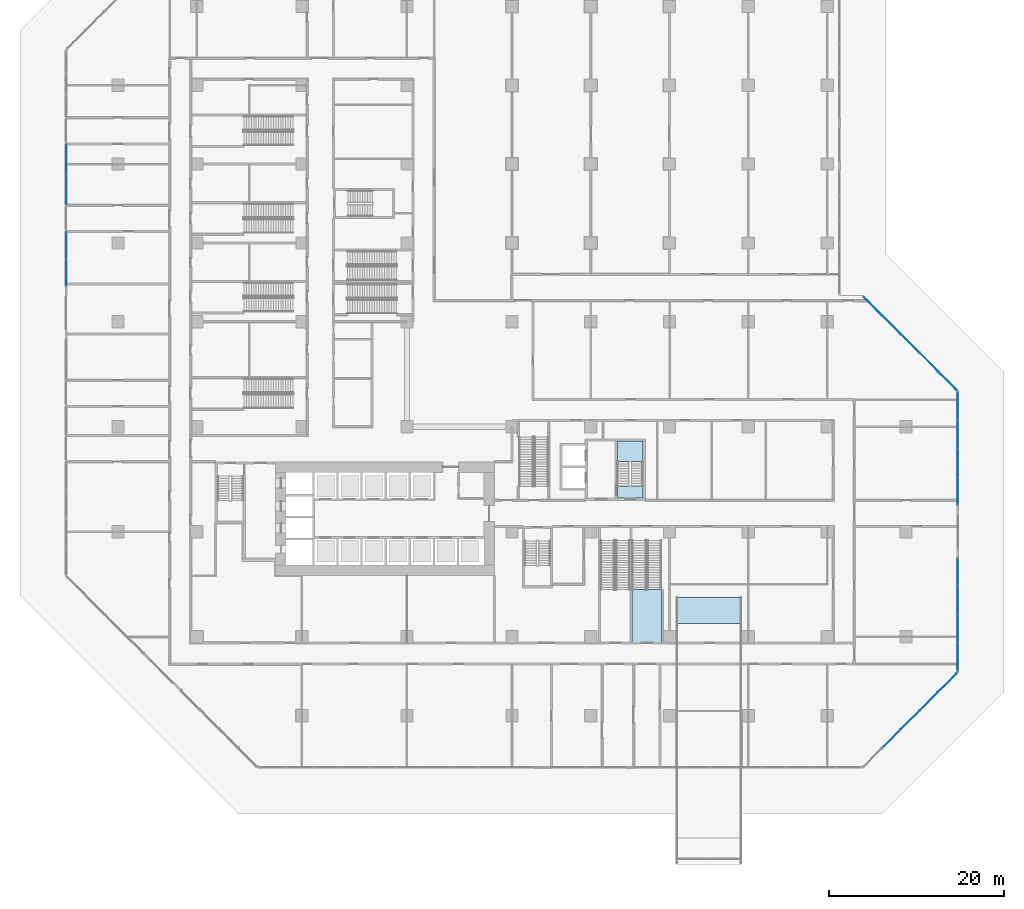
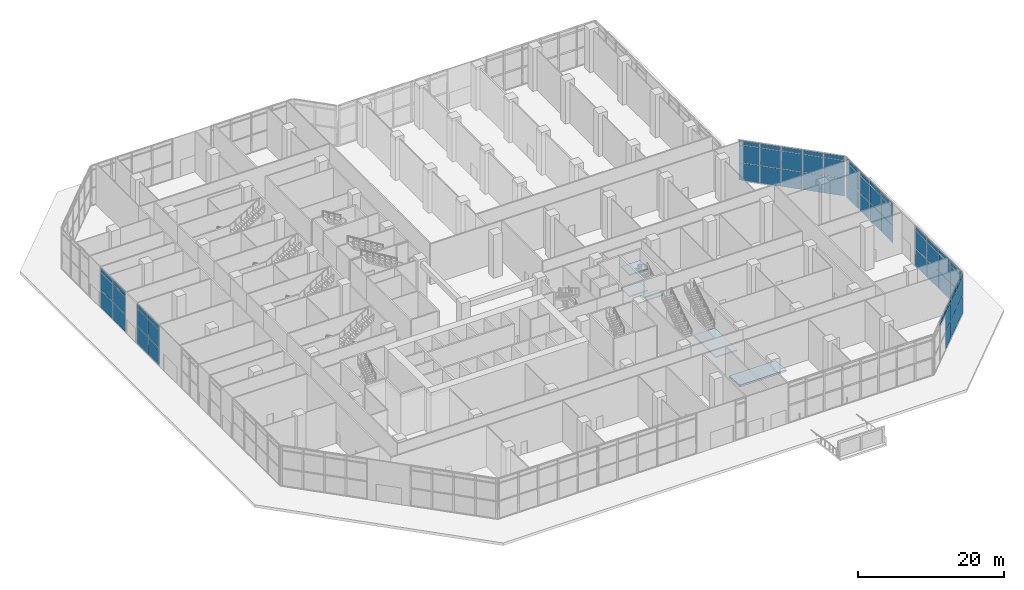
# One storey, part 14 of 34: 61 plates, 5 slabs, 8 elements without a shape of their own.
"""IFC4 building model written with IfcOpenShell, lengths in metres."""

from ifc_helpers import new_model, si_unit, direction, frame, origin, origin_2d, place, context, subcontext, project, spatial, polyline, rectangle, outline, extrude, material, layer, layer_set, type_object, element, aggregate, save


model = new_model("IFC4")

# Units and contexts
model_context = context("Model", 3, precision=1e-05, world=origin(), true_north=direction((0.0, 1.0)))
body_context = subcontext(model_context, "Body", "Model", "MODEL_VIEW")
ifc_project = project(units=[si_unit("LENGTHUNIT", "METRE"), si_unit("AREAUNIT", "SQUARE_METRE"), si_unit("VOLUMEUNIT", "CUBIC_METRE"), si_unit("PLANEANGLEUNIT", "RADIAN"), si_unit("MASSUNIT", "GRAM", prefix="KILO")], contexts=[model_context])

# Site, building, storey
site_placement = place(None, origin())
site = spatial("IfcSite", under=ifc_project, at=site_placement, CompositionType="ELEMENT")
building_placement = place(site_placement, origin())
building = spatial("IfcBuilding", under=site, at=building_placement, Name="Chenar Terraces", CompositionType="ELEMENT")
storey_placement = place(building_placement, origin())
storey = spatial("IfcBuildingStorey", under=building, at=storey_placement, Name="L00", CompositionType="ELEMENT", Elevation=0.0)

# Slab
ifc_material_1 = material(Name="Reinforced concrete C40/50", Category="concrete")
ifc_layer_1 = layer(ifc_material_1, 0.300048828125)
ifc_layer_set_1 = layer_set([ifc_layer_1], Name="Reinforced concrete C40/50")
slab_type_1 = type_object("IfcSlabType", Name="Car ramp slab 7500 x 300", PredefinedType="USERDEFINED", material=ifc_layer_set_1)
slab_1_placement = place(storey_placement, frame((54.800048828125, 1.5, -4.25), z_axis=(0.0, 0.083045479854, 0.996545758245), x_axis=(0.0, 0.996545758245, -0.083045479854)))
element("IfcSlab", 1, at=slab_1_placement, inside=storey, type_object=slab_type_1, Name="R1 vehicle ramp slab 3 (bottom)", ObjectType="Vehicle ramp slab", PredefinedType="USERDEFINED", context=body_context, shape_type="SweptSolid", body=[
    extrude(outline(polyline([(0.0, 0.0), (3.010398644698074, 0.0), (3.010398644698074, -7.39990234375), (0.0, -7.39990234375), (0.0, 0.0)])), origin(), (0.083045479854, 0.0, -0.996545758245), 0.301025390625),
])

# Stair, slabs
ifc_material_2 = material(Name="Reinforced concrete C40/50", Category="concrete")
stair_type = type_object("IfcStairType", Name="Core stair 1400 half-turn", PredefinedType="HALF_TURN_STAIR", material=ifc_material_2)
placement_1 = place(storey_placement, origin())
stair_1 = element("IfcStair", 2, at=placement_1, inside=storey, type_object=stair_type, Name="L00 Stair 3", PredefinedType="HALF_TURN_STAIR")
ifc_material_3 = material(Name="Reinforced concrete C40/50", Category="concrete")
ifc_layer_2 = layer(ifc_material_3, 0.199951171875)
ifc_layer_set_2 = layer_set([ifc_layer_2], Name="Reinforced concrete C40/50")
slab_type_2 = type_object("IfcSlabType", Name="Core stair landing 200", PredefinedType="LANDING", material=ifc_layer_set_2)
slab_2_placement = place(storey_placement, frame((0.0, 0.0, 1.60009765625)))
slab_2 = element("IfcSlab", 3, at=slab_2_placement, type_object=slab_type_2, Name="ST3 landing 1", PredefinedType="LANDING", context=body_context, shape_type="SweptSolid", body=[
    extrude(outline(polyline([(50.97509765625, 20.050048828125), (50.97509765625, 22.35009765625), (48.02490234375, 22.35009765625), (48.02490234375, 20.050048828125), (50.97509765625, 20.050048828125)])), origin(), (0.0, 0.0, 1.0), 0.199951171875),
])
placement_2 = place(storey_placement, frame((0.0, 0.0, 3.39990234375)))
slab_3 = element("IfcSlab", 4, at=placement_2, type_object=slab_type_2, Name="ST3 landing 2", PredefinedType="LANDING", context=body_context, shape_type="SweptSolid", body=[
    extrude(outline(polyline([(50.97509765625, 15.85009765625), (50.97509765625, 17.25), (48.02490234375, 17.25), (48.02490234375, 15.85009765625), (50.97509765625, 15.85009765625)])), origin(), (0.0, 0.0, 1.0), 0.2001953125),
])
slab_4_placement = place(storey_placement, frame((0.0, 0.0, 5.199951171875)))
slab_4 = element("IfcSlab", 5, at=slab_4_placement, type_object=slab_type_2, Name="ST3 landing 3", PredefinedType="LANDING", context=body_context, shape_type="SweptSolid", body=[
    extrude(outline(polyline([(50.97509765625, 20.050048828125), (50.97509765625, 22.35009765625), (48.02490234375, 22.35009765625), (48.02490234375, 20.050048828125), (50.97509765625, 20.050048828125)])), origin(), (0.0, 0.0, 1.0), 0.199951171875),
])
aggregate(stair_1, [slab_2, slab_3, slab_4])

# Stair, slab
stair_2 = element("IfcStair", 6, at=placement_1, inside=storey, type_object=stair_type, Name="L00 Exit stair PS2", PredefinedType="HALF_TURN_STAIR")
slab_5 = element("IfcSlab", 7, at=placement_2, type_object=slab_type_2, Name="PS2 landing 1", PredefinedType="LANDING", context=body_context, shape_type="SweptSolid", body=[
    extrude(outline(polyline([(49.7099609375, 5.385009765625), (49.7099609375, -0.699951171875), (53.090087890625, -0.699951171875), (53.090087890625, 5.385009765625), (49.7099609375, 5.385009765625)])), origin(), (0.0, 0.0, 1.0), 0.2001953125),
])
aggregate(stair_2, [slab_5])

# Curtain wall, plates
ifc_material_4 = material(Name="Aluminium framed glazing", Category="aluminium")
ifc_layer_3 = layer(ifc_material_4, 0.14990234375)
ifc_layer_set_3 = layer_set([ifc_layer_3], Name="Aluminium framed glazing")
curtain_wall_type = type_object("IfcCurtainWallType", Name="Lobby curtain wall", PredefinedType="NOTDEFINED", material=ifc_layer_set_3)
curtain_wall_1 = element("IfcCurtainWall", 8, at=placement_1, inside=storey, type_object=curtain_wall_type, Name="Lobby curtain wall", PredefinedType="NOTDEFINED")
ifc_material_5 = material(Name="Low emissivity laminated glass, solar control coating", Category="glass")
ifc_layer_4 = layer(ifc_material_5, 0.035888671875)
ifc_layer_set_4 = layer_set([ifc_layer_4], Name="Low emissivity laminated glass, solar control coating")
plate_type = type_object("IfcPlateType", Name="Lobby glazing panel 36", PredefinedType="CURTAIN_PANEL", material=ifc_layer_set_4)
plate_1_placement = place(storey_placement, frame((-14.925048828125, 54.523681640625, 0.080078125), z_axis=(0.0, 0.0, 1.0), x_axis=(0.0, -1.0, 0.0)))
plate_1 = element("IfcPlate", 9, at=plate_1_placement, type_object=plate_type, Name="CW6-04p20 panel 1.1", PredefinedType="CURTAIN_PANEL", context=body_context, shape_type="SweptSolid", body=[
    extrude(rectangle(XDim=3.367431640625, YDim=0.035888671875, at=origin_2d()), origin(), (0.0, 0.0, 1.0), 2.8798828125),
])
plate_2_placement = place(storey_placement, frame((-14.925048828125, 54.523681640625, 3.0400390625), z_axis=(0.0, 0.0, 1.0), x_axis=(0.0, -1.0, 0.0)))
plate_2 = element("IfcPlate", 10, at=plate_2_placement, type_object=plate_type, Name="CW6-04p20 panel 1.2", PredefinedType="CURTAIN_PANEL", context=body_context, shape_type="SweptSolid", body=[
    extrude(rectangle(XDim=3.367431640625, YDim=0.035888671875, at=origin_2d()), origin(), (0.0, 0.0, 1.0), 2.919921875),
])
plate_3_placement = place(storey_placement, frame((-14.925048828125, 54.523681640625, 6.0400390625), z_axis=(0.0, 0.0, 1.0), x_axis=(0.0, -1.0, 0.0)))
plate_3 = element("IfcPlate", 11, at=plate_3_placement, type_object=plate_type, Name="CW6-04p20 panel 1.3", PredefinedType="CURTAIN_PANEL", context=body_context, shape_type="SweptSolid", body=[
    extrude(rectangle(XDim=3.367431640625, YDim=0.035888671875, at=origin_2d()), origin(), (0.0, 0.0, 1.0), 0.679931640625),
])
plate_4_placement = place(storey_placement, frame((-14.925048828125, 51.076171875, 0.080078125), z_axis=(0.0, 0.0, 1.0), x_axis=(0.0, -1.0, 0.0)))
plate_4 = element("IfcPlate", 12, at=plate_4_placement, type_object=plate_type, Name="CW6-04p20 panel 2.1", PredefinedType="CURTAIN_PANEL", context=body_context, shape_type="SweptSolid", body=[
    extrude(rectangle(XDim=3.367431640625, YDim=0.035888671875, at=origin_2d()), origin(), (0.0, 0.0, 1.0), 2.8798828125),
])
plate_5_placement = place(storey_placement, frame((-14.925048828125, 51.076171875, 3.0400390625), z_axis=(0.0, 0.0, 1.0), x_axis=(0.0, -1.0, 0.0)))
plate_5 = element("IfcPlate", 13, at=plate_5_placement, type_object=plate_type, Name="CW6-04p20 panel 2.2", PredefinedType="CURTAIN_PANEL", context=body_context, shape_type="SweptSolid", body=[
    extrude(rectangle(XDim=3.367431640625, YDim=0.035888671875, at=origin_2d()), origin(), (0.0, 0.0, 1.0), 2.919921875),
])
plate_6_placement = place(storey_placement, frame((-14.925048828125, 51.076171875, 6.0400390625), z_axis=(0.0, 0.0, 1.0), x_axis=(0.0, -1.0, 0.0)))
plate_6 = element("IfcPlate", 14, at=plate_6_placement, type_object=plate_type, Name="CW6-04p20 panel 2.3", PredefinedType="CURTAIN_PANEL", context=body_context, shape_type="SweptSolid", body=[
    extrude(rectangle(XDim=3.367431640625, YDim=0.035888671875, at=origin_2d()), origin(), (0.0, 0.0, 1.0), 0.679931640625),
])
aggregate(curtain_wall_1, [plate_1, plate_2, plate_3, plate_4, plate_5, plate_6])

curtain_wall_2 = element("IfcCurtainWall", 15, at=placement_1, inside=storey, type_object=curtain_wall_type, Name="Lobby curtain wall", PredefinedType="NOTDEFINED")
plate_7_placement = place(storey_placement, frame((-14.925048828125, 44.69873046875, 0.080078125), z_axis=(0.0, 0.0, 1.0), x_axis=(0.0, -1.0, 0.0)))
plate_7 = element("IfcPlate", 16, at=plate_7_placement, type_object=plate_type, Name="CW6-04p30 panel 1.1", PredefinedType="CURTAIN_PANEL", context=body_context, shape_type="SweptSolid", body=[
    extrude(rectangle(XDim=3.017578125, YDim=0.035888671875, at=origin_2d()), origin(), (0.0, 0.0, 1.0), 2.8798828125),
])
plate_8_placement = place(storey_placement, frame((-14.925048828125, 44.69873046875, 3.0400390625), z_axis=(0.0, 0.0, 1.0), x_axis=(0.0, -1.0, 0.0)))
plate_8 = element("IfcPlate", 17, at=plate_8_placement, type_object=plate_type, Name="CW6-04p30 panel 1.2", PredefinedType="CURTAIN_PANEL", context=body_context, shape_type="SweptSolid", body=[
    extrude(rectangle(XDim=3.017578125, YDim=0.035888671875, at=origin_2d()), origin(), (0.0, 0.0, 1.0), 2.919921875),
])
plate_9_placement = place(storey_placement, frame((-14.925048828125, 44.69873046875, 6.0400390625), z_axis=(0.0, 0.0, 1.0), x_axis=(0.0, -1.0, 0.0)))
plate_9 = element("IfcPlate", 18, at=plate_9_placement, type_object=plate_type, Name="CW6-04p30 panel 1.3", PredefinedType="CURTAIN_PANEL", context=body_context, shape_type="SweptSolid", body=[
    extrude(rectangle(XDim=3.017578125, YDim=0.035888671875, at=origin_2d()), origin(), (0.0, 0.0, 1.0), 0.679931640625),
])
plate_10_placement = place(storey_placement, frame((-14.925048828125, 41.601318359375, 0.080078125), z_axis=(0.0, 0.0, 1.0), x_axis=(0.0, -1.0, 0.0)))
plate_10 = element("IfcPlate", 19, at=plate_10_placement, type_object=plate_type, Name="CW6-04p30 panel 2.1", PredefinedType="CURTAIN_PANEL", context=body_context, shape_type="SweptSolid", body=[
    extrude(rectangle(XDim=3.017578125, YDim=0.035888671875, at=origin_2d()), origin(), (0.0, 0.0, 1.0), 2.8798828125),
])
plate_11_placement = place(storey_placement, frame((-14.925048828125, 41.601318359375, 3.0400390625), z_axis=(0.0, 0.0, 1.0), x_axis=(0.0, -1.0, 0.0)))
plate_11 = element("IfcPlate", 20, at=plate_11_placement, type_object=plate_type, Name="CW6-04p30 panel 2.2", PredefinedType="CURTAIN_PANEL", context=body_context, shape_type="SweptSolid", body=[
    extrude(rectangle(XDim=3.017578125, YDim=0.035888671875, at=origin_2d()), origin(), (0.0, 0.0, 1.0), 2.919921875),
])
plate_12_placement = place(storey_placement, frame((-14.925048828125, 41.601318359375, 6.0400390625), z_axis=(0.0, 0.0, 1.0), x_axis=(0.0, -1.0, 0.0)))
plate_12 = element("IfcPlate", 21, at=plate_12_placement, type_object=plate_type, Name="CW6-04p30 panel 2.3", PredefinedType="CURTAIN_PANEL", context=body_context, shape_type="SweptSolid", body=[
    extrude(rectangle(XDim=3.017578125, YDim=0.035888671875, at=origin_2d()), origin(), (0.0, 0.0, 1.0), 0.679931640625),
])
aggregate(curtain_wall_2, [plate_7, plate_8, plate_9, plate_10, plate_11, plate_12])

curtain_wall_3 = element("IfcCurtainWall", 22, at=placement_1, inside=storey, type_object=curtain_wall_type, Name="Lobby curtain wall", PredefinedType="NOTDEFINED")
plate_13_placement = place(storey_placement, frame((79.353759765625, -11.632080078125, 6.0400390625), z_axis=(0.0, 0.0, 1.0), x_axis=(0.707106781187, 0.707106781187, 0.0)))
plate_13 = element("IfcPlate", 23, at=plate_13_placement, type_object=plate_type, Name="CW6-070 panel 2.3", PredefinedType="CURTAIN_PANEL", context=body_context, shape_type="SweptSolid", body=[
    extrude(rectangle(XDim=2.9453125, YDim=0.035888671875, at=origin_2d()), origin(), (0.0, 0.0, 1.0), 0.679931640625),
])
plate_14_placement = place(storey_placement, frame((81.492919921875, -9.492919921875, 0.080078125), z_axis=(0.0, 0.0, 1.0), x_axis=(0.707106781187, 0.707106781187, 0.0)))
plate_14 = element("IfcPlate", 24, at=plate_14_placement, type_object=plate_type, Name="CW6-070 panel 3.1", PredefinedType="CURTAIN_PANEL", context=body_context, shape_type="SweptSolid", body=[
    extrude(rectangle(XDim=2.9453125, YDim=0.035888671875, at=origin_2d()), origin(), (0.0, 0.0, 1.0), 2.8798828125),
])
plate_15_placement = place(storey_placement, frame((81.492919921875, -9.492919921875, 3.0400390625), z_axis=(0.0, 0.0, 1.0), x_axis=(0.707106781187, 0.707106781187, 0.0)))
plate_15 = element("IfcPlate", 25, at=plate_15_placement, type_object=plate_type, Name="CW6-070 panel 3.2", PredefinedType="CURTAIN_PANEL", context=body_context, shape_type="SweptSolid", body=[
    extrude(rectangle(XDim=2.9453125, YDim=0.035888671875, at=origin_2d()), origin(), (0.0, 0.0, 1.0), 2.919921875),
])
plate_16_placement = place(storey_placement, frame((81.492919921875, -9.492919921875, 6.0400390625), z_axis=(0.0, 0.0, 1.0), x_axis=(0.707106781187, 0.707106781187, 0.0)))
plate_16 = element("IfcPlate", 26, at=plate_16_placement, type_object=plate_type, Name="CW6-070 panel 3.3", PredefinedType="CURTAIN_PANEL", context=body_context, shape_type="SweptSolid", body=[
    extrude(rectangle(XDim=2.9453125, YDim=0.035888671875, at=origin_2d()), origin(), (0.0, 0.0, 1.0), 0.679931640625),
])
plate_17_placement = place(storey_placement, frame((83.632080078125, -7.353759765625, 0.080078125), z_axis=(0.0, 0.0, 1.0), x_axis=(0.707106781187, 0.707106781187, 0.0)))
plate_17 = element("IfcPlate", 27, at=plate_17_placement, type_object=plate_type, Name="CW6-070 panel 4.1", PredefinedType="CURTAIN_PANEL", context=body_context, shape_type="SweptSolid", body=[
    extrude(rectangle(XDim=2.9453125, YDim=0.035888671875, at=origin_2d()), origin(), (0.0, 0.0, 1.0), 2.8798828125),
])
plate_18_placement = place(storey_placement, frame((83.632080078125, -7.353759765625, 3.0400390625), z_axis=(0.0, 0.0, 1.0), x_axis=(0.707106781187, 0.707106781187, 0.0)))
plate_18 = element("IfcPlate", 28, at=plate_18_placement, type_object=plate_type, Name="CW6-070 panel 4.2", PredefinedType="CURTAIN_PANEL", context=body_context, shape_type="SweptSolid", body=[
    extrude(rectangle(XDim=2.9453125, YDim=0.035888671875, at=origin_2d()), origin(), (0.0, 0.0, 1.0), 2.919921875),
])
plate_19_placement = place(storey_placement, frame((83.632080078125, -7.353759765625, 6.0400390625), z_axis=(0.0, 0.0, 1.0), x_axis=(0.707106781187, 0.707106781187, 0.0)))
plate_19 = element("IfcPlate", 29, at=plate_19_placement, type_object=plate_type, Name="CW6-070 panel 4.3", PredefinedType="CURTAIN_PANEL", context=body_context, shape_type="SweptSolid", body=[
    extrude(rectangle(XDim=2.9453125, YDim=0.035888671875, at=origin_2d()), origin(), (0.0, 0.0, 1.0), 0.679931640625),
])
plate_20_placement = place(storey_placement, frame((85.757080078125, -5.228759765625, 0.080078125), z_axis=(0.0, 0.0, 1.0), x_axis=(0.707106781187, 0.707106781187, 0.0)))
plate_20 = element("IfcPlate", 30, at=plate_20_placement, type_object=plate_type, Name="CW6-070 panel 5.1", PredefinedType="CURTAIN_PANEL", context=body_context, shape_type="SweptSolid", body=[
    extrude(rectangle(XDim=2.9052734375, YDim=0.035888671875, at=origin_2d()), origin(), (0.0, 0.0, 1.0), 2.8798828125),
])
plate_21_placement = place(storey_placement, frame((85.757080078125, -5.228759765625, 3.0400390625), z_axis=(0.0, 0.0, 1.0), x_axis=(0.707106781187, 0.707106781187, 0.0)))
plate_21 = element("IfcPlate", 31, at=plate_21_placement, type_object=plate_type, Name="CW6-070 panel 5.2", PredefinedType="CURTAIN_PANEL", context=body_context, shape_type="SweptSolid", body=[
    extrude(rectangle(XDim=2.9052734375, YDim=0.035888671875, at=origin_2d()), origin(), (0.0, 0.0, 1.0), 2.919921875),
])
plate_22_placement = place(storey_placement, frame((85.757080078125, -5.228759765625, 6.0400390625), z_axis=(0.0, 0.0, 1.0), x_axis=(0.707106781187, 0.707106781187, 0.0)))
plate_22 = element("IfcPlate", 32, at=plate_22_placement, type_object=plate_type, Name="CW6-070 panel 5.3", PredefinedType="CURTAIN_PANEL", context=body_context, shape_type="SweptSolid", body=[
    extrude(rectangle(XDim=2.9052734375, YDim=0.035888671875, at=origin_2d()), origin(), (0.0, 0.0, 1.0), 0.679931640625),
])
aggregate(curtain_wall_3, [plate_13, plate_14, plate_15, plate_16, plate_17, plate_18, plate_19, plate_20, plate_21, plate_22])

curtain_wall_4 = element("IfcCurtainWall", 33, at=placement_1, inside=storey, type_object=curtain_wall_type, Name="Lobby curtain wall", PredefinedType="NOTDEFINED")
plate_23_placement = place(storey_placement, frame((86.925048828125, -2.3056640625, 0.080078125), z_axis=(0.0, 0.0, 1.0), x_axis=(0.0, 1.0, 0.0)))
plate_23 = element("IfcPlate", 34, at=plate_23_placement, type_object=plate_type, Name="CW6-08a0 panel 1.1", PredefinedType="CURTAIN_PANEL", context=body_context, shape_type="SweptSolid", body=[
    extrude(rectangle(XDim=3.1123046875, YDim=0.035888671875, at=origin_2d()), origin(), (0.0, 0.0, 1.0), 2.8798828125),
])
plate_24_placement = place(storey_placement, frame((86.925048828125, -2.3056640625, 3.0400390625), z_axis=(0.0, 0.0, 1.0), x_axis=(0.0, 1.0, 0.0)))
plate_24 = element("IfcPlate", 35, at=plate_24_placement, type_object=plate_type, Name="CW6-08a0 panel 1.2", PredefinedType="CURTAIN_PANEL", context=body_context, shape_type="SweptSolid", body=[
    extrude(rectangle(XDim=3.1123046875, YDim=0.035888671875, at=origin_2d()), origin(), (0.0, 0.0, 1.0), 2.919921875),
])
plate_25_placement = place(storey_placement, frame((86.925048828125, -2.3056640625, 6.0400390625), z_axis=(0.0, 0.0, 1.0), x_axis=(0.0, 1.0, 0.0)))
plate_25 = element("IfcPlate", 36, at=plate_25_placement, type_object=plate_type, Name="CW6-08a0 panel 1.3", PredefinedType="CURTAIN_PANEL", context=body_context, shape_type="SweptSolid", body=[
    extrude(rectangle(XDim=3.1123046875, YDim=0.035888671875, at=origin_2d()), origin(), (0.0, 0.0, 1.0), 0.679931640625),
])
plate_26_placement = place(storey_placement, frame((86.925048828125, 0.90673828125, 0.080078125), z_axis=(0.0, 0.0, 1.0), x_axis=(0.0, 1.0, 0.0)))
plate_26 = element("IfcPlate", 37, at=plate_26_placement, type_object=plate_type, Name="CW6-08a0 panel 2.1", PredefinedType="CURTAIN_PANEL", context=body_context, shape_type="SweptSolid", body=[
    extrude(rectangle(XDim=3.15234375, YDim=0.035888671875, at=origin_2d()), origin(), (0.0, 0.0, 1.0), 2.8798828125),
])
plate_27_placement = place(storey_placement, frame((86.925048828125, 0.90673828125, 3.0400390625), z_axis=(0.0, 0.0, 1.0), x_axis=(0.0, 1.0, 0.0)))
plate_27 = element("IfcPlate", 38, at=plate_27_placement, type_object=plate_type, Name="CW6-08a0 panel 2.2", PredefinedType="CURTAIN_PANEL", context=body_context, shape_type="SweptSolid", body=[
    extrude(rectangle(XDim=3.15234375, YDim=0.035888671875, at=origin_2d()), origin(), (0.0, 0.0, 1.0), 2.919921875),
])
plate_28_placement = place(storey_placement, frame((86.925048828125, 0.90673828125, 6.0400390625), z_axis=(0.0, 0.0, 1.0), x_axis=(0.0, 1.0, 0.0)))
plate_28 = element("IfcPlate", 39, at=plate_28_placement, type_object=plate_type, Name="CW6-08a0 panel 2.3", PredefinedType="CURTAIN_PANEL", context=body_context, shape_type="SweptSolid", body=[
    extrude(rectangle(XDim=3.15234375, YDim=0.035888671875, at=origin_2d()), origin(), (0.0, 0.0, 1.0), 0.679931640625),
])
plate_29_placement = place(storey_placement, frame((86.925048828125, 4.138916015625, 0.080078125), z_axis=(0.0, 0.0, 1.0), x_axis=(0.0, 1.0, 0.0)))
plate_29 = element("IfcPlate", 40, at=plate_29_placement, type_object=plate_type, Name="CW6-08a0 panel 3.1", PredefinedType="CURTAIN_PANEL", context=body_context, shape_type="SweptSolid", body=[
    extrude(rectangle(XDim=3.15234375, YDim=0.035888671875, at=origin_2d()), origin(), (0.0, 0.0, 1.0), 2.8798828125),
])
plate_30_placement = place(storey_placement, frame((86.925048828125, 4.138916015625, 3.0400390625), z_axis=(0.0, 0.0, 1.0), x_axis=(0.0, 1.0, 0.0)))
plate_30 = element("IfcPlate", 41, at=plate_30_placement, type_object=plate_type, Name="CW6-08a0 panel 3.2", PredefinedType="CURTAIN_PANEL", context=body_context, shape_type="SweptSolid", body=[
    extrude(rectangle(XDim=3.15234375, YDim=0.035888671875, at=origin_2d()), origin(), (0.0, 0.0, 1.0), 2.919921875),
])
plate_31_placement = place(storey_placement, frame((86.925048828125, 4.138916015625, 6.0400390625), z_axis=(0.0, 0.0, 1.0), x_axis=(0.0, 1.0, 0.0)))
plate_31 = element("IfcPlate", 42, at=plate_31_placement, type_object=plate_type, Name="CW6-08a0 panel 3.3", PredefinedType="CURTAIN_PANEL", context=body_context, shape_type="SweptSolid", body=[
    extrude(rectangle(XDim=3.15234375, YDim=0.035888671875, at=origin_2d()), origin(), (0.0, 0.0, 1.0), 0.679931640625),
])
plate_32_placement = place(storey_placement, frame((86.925048828125, 7.351318359375, 0.080078125), z_axis=(0.0, 0.0, 1.0), x_axis=(0.0, 1.0, 0.0)))
plate_32 = element("IfcPlate", 43, at=plate_32_placement, type_object=plate_type, Name="CW6-08a0 panel 4.1", PredefinedType="CURTAIN_PANEL", context=body_context, shape_type="SweptSolid", body=[
    extrude(rectangle(XDim=3.1123046875, YDim=0.035888671875, at=origin_2d()), origin(), (0.0, 0.0, 1.0), 2.8798828125),
])
plate_33_placement = place(storey_placement, frame((86.925048828125, 7.351318359375, 3.0400390625), z_axis=(0.0, 0.0, 1.0), x_axis=(0.0, 1.0, 0.0)))
plate_33 = element("IfcPlate", 44, at=plate_33_placement, type_object=plate_type, Name="CW6-08a0 panel 4.2", PredefinedType="CURTAIN_PANEL", context=body_context, shape_type="SweptSolid", body=[
    extrude(rectangle(XDim=3.1123046875, YDim=0.035888671875, at=origin_2d()), origin(), (0.0, 0.0, 1.0), 2.919921875),
])
plate_34_placement = place(storey_placement, frame((86.925048828125, 7.351318359375, 6.0400390625), z_axis=(0.0, 0.0, 1.0), x_axis=(0.0, 1.0, 0.0)))
plate_34 = element("IfcPlate", 45, at=plate_34_placement, type_object=plate_type, Name="CW6-08a0 panel 4.3", PredefinedType="CURTAIN_PANEL", context=body_context, shape_type="SweptSolid", body=[
    extrude(rectangle(XDim=3.1123046875, YDim=0.035888671875, at=origin_2d()), origin(), (0.0, 0.0, 1.0), 0.679931640625),
])
aggregate(curtain_wall_4, [plate_23, plate_24, plate_25, plate_26, plate_27, plate_28, plate_29, plate_30, plate_31, plate_32, plate_33, plate_34])

curtain_wall_5 = element("IfcCurtainWall", 46, at=placement_1, inside=storey, type_object=curtain_wall_type, Name="Lobby curtain wall", PredefinedType="NOTDEFINED")
plate_35_placement = place(storey_placement, frame((86.925048828125, 16.648681640625, 0.080078125), z_axis=(0.0, 0.0, 1.0), x_axis=(0.0, 1.0, 0.0)))
plate_35 = element("IfcPlate", 47, at=plate_35_placement, type_object=plate_type, Name="CW6-08b0 panel 1.1", PredefinedType="CURTAIN_PANEL", context=body_context, shape_type="SweptSolid", body=[
    extrude(rectangle(XDim=3.1123046875, YDim=0.035888671875, at=origin_2d()), origin(), (0.0, 0.0, 1.0), 2.8798828125),
])
plate_36_placement = place(storey_placement, frame((86.925048828125, 16.648681640625, 3.0400390625), z_axis=(0.0, 0.0, 1.0), x_axis=(0.0, 1.0, 0.0)))
plate_36 = element("IfcPlate", 48, at=plate_36_placement, type_object=plate_type, Name="CW6-08b0 panel 1.2", PredefinedType="CURTAIN_PANEL", context=body_context, shape_type="SweptSolid", body=[
    extrude(rectangle(XDim=3.1123046875, YDim=0.035888671875, at=origin_2d()), origin(), (0.0, 0.0, 1.0), 2.919921875),
])
plate_37_placement = place(storey_placement, frame((86.925048828125, 16.648681640625, 6.0400390625), z_axis=(0.0, 0.0, 1.0), x_axis=(0.0, 1.0, 0.0)))
plate_37 = element("IfcPlate", 49, at=plate_37_placement, type_object=plate_type, Name="CW6-08b0 panel 1.3", PredefinedType="CURTAIN_PANEL", context=body_context, shape_type="SweptSolid", body=[
    extrude(rectangle(XDim=3.1123046875, YDim=0.035888671875, at=origin_2d()), origin(), (0.0, 0.0, 1.0), 0.679931640625),
])
plate_38_placement = place(storey_placement, frame((86.925048828125, 19.861083984375, 0.080078125), z_axis=(0.0, 0.0, 1.0), x_axis=(0.0, 1.0, 0.0)))
plate_38 = element("IfcPlate", 50, at=plate_38_placement, type_object=plate_type, Name="CW6-08b0 panel 2.1", PredefinedType="CURTAIN_PANEL", context=body_context, shape_type="SweptSolid", body=[
    extrude(rectangle(XDim=3.15234375, YDim=0.035888671875, at=origin_2d()), origin(), (0.0, 0.0, 1.0), 2.8798828125),
])
plate_39_placement = place(storey_placement, frame((86.925048828125, 19.861083984375, 3.0400390625), z_axis=(0.0, 0.0, 1.0), x_axis=(0.0, 1.0, 0.0)))
plate_39 = element("IfcPlate", 51, at=plate_39_placement, type_object=plate_type, Name="CW6-08b0 panel 2.2", PredefinedType="CURTAIN_PANEL", context=body_context, shape_type="SweptSolid", body=[
    extrude(rectangle(XDim=3.15234375, YDim=0.035888671875, at=origin_2d()), origin(), (0.0, 0.0, 1.0), 2.919921875),
])
plate_40_placement = place(storey_placement, frame((86.925048828125, 19.861083984375, 6.0400390625), z_axis=(0.0, 0.0, 1.0), x_axis=(0.0, 1.0, 0.0)))
plate_40 = element("IfcPlate", 52, at=plate_40_placement, type_object=plate_type, Name="CW6-08b0 panel 2.3", PredefinedType="CURTAIN_PANEL", context=body_context, shape_type="SweptSolid", body=[
    extrude(rectangle(XDim=3.15234375, YDim=0.035888671875, at=origin_2d()), origin(), (0.0, 0.0, 1.0), 0.679931640625),
])
plate_41_placement = place(storey_placement, frame((86.925048828125, 23.09326171875, 0.080078125), z_axis=(0.0, 0.0, 1.0), x_axis=(0.0, 1.0, 0.0)))
plate_41 = element("IfcPlate", 53, at=plate_41_placement, type_object=plate_type, Name="CW6-08b0 panel 3.1", PredefinedType="CURTAIN_PANEL", context=body_context, shape_type="SweptSolid", body=[
    extrude(rectangle(XDim=3.15234375, YDim=0.035888671875, at=origin_2d()), origin(), (0.0, 0.0, 1.0), 2.8798828125),
])
plate_42_placement = place(storey_placement, frame((86.925048828125, 23.09326171875, 3.0400390625), z_axis=(0.0, 0.0, 1.0), x_axis=(0.0, 1.0, 0.0)))
plate_42 = element("IfcPlate", 54, at=plate_42_placement, type_object=plate_type, Name="CW6-08b0 panel 3.2", PredefinedType="CURTAIN_PANEL", context=body_context, shape_type="SweptSolid", body=[
    extrude(rectangle(XDim=3.15234375, YDim=0.035888671875, at=origin_2d()), origin(), (0.0, 0.0, 1.0), 2.919921875),
])
plate_43_placement = place(storey_placement, frame((86.925048828125, 23.09326171875, 6.0400390625), z_axis=(0.0, 0.0, 1.0), x_axis=(0.0, 1.0, 0.0)))
plate_43 = element("IfcPlate", 55, at=plate_43_placement, type_object=plate_type, Name="CW6-08b0 panel 3.3", PredefinedType="CURTAIN_PANEL", context=body_context, shape_type="SweptSolid", body=[
    extrude(rectangle(XDim=3.15234375, YDim=0.035888671875, at=origin_2d()), origin(), (0.0, 0.0, 1.0), 0.679931640625),
])
plate_44_placement = place(storey_placement, frame((86.925048828125, 26.3056640625, 0.080078125), z_axis=(0.0, 0.0, 1.0), x_axis=(0.0, 1.0, 0.0)))
plate_44 = element("IfcPlate", 56, at=plate_44_placement, type_object=plate_type, Name="CW6-08b0 panel 4.1", PredefinedType="CURTAIN_PANEL", context=body_context, shape_type="SweptSolid", body=[
    extrude(rectangle(XDim=3.1123046875, YDim=0.035888671875, at=origin_2d()), origin(), (0.0, 0.0, 1.0), 2.8798828125),
])
plate_45_placement = place(storey_placement, frame((86.925048828125, 26.3056640625, 3.0400390625), z_axis=(0.0, 0.0, 1.0), x_axis=(0.0, 1.0, 0.0)))
plate_45 = element("IfcPlate", 57, at=plate_45_placement, type_object=plate_type, Name="CW6-08b0 panel 4.2", PredefinedType="CURTAIN_PANEL", context=body_context, shape_type="SweptSolid", body=[
    extrude(rectangle(XDim=3.1123046875, YDim=0.035888671875, at=origin_2d()), origin(), (0.0, 0.0, 1.0), 2.919921875),
])
plate_46_placement = place(storey_placement, frame((86.925048828125, 26.3056640625, 6.0400390625), z_axis=(0.0, 0.0, 1.0), x_axis=(0.0, 1.0, 0.0)))
plate_46 = element("IfcPlate", 58, at=plate_46_placement, type_object=plate_type, Name="CW6-08b0 panel 4.3", PredefinedType="CURTAIN_PANEL", context=body_context, shape_type="SweptSolid", body=[
    extrude(rectangle(XDim=3.1123046875, YDim=0.035888671875, at=origin_2d()), origin(), (0.0, 0.0, 1.0), 0.679931640625),
])
aggregate(curtain_wall_5, [plate_35, plate_36, plate_37, plate_38, plate_39, plate_40, plate_41, plate_42, plate_43, plate_44, plate_45, plate_46])

curtain_wall_6 = element("IfcCurtainWall", 59, at=placement_1, inside=storey, type_object=curtain_wall_type, Name="Lobby curtain wall", PredefinedType="NOTDEFINED")
plate_47_placement = place(storey_placement, frame((85.757080078125, 29.228759765625, 0.080078125), z_axis=(0.0, 0.0, 1.0), x_axis=(-0.707106781187, 0.707106781187, 0.0)))
plate_47 = element("IfcPlate", 60, at=plate_47_placement, type_object=plate_type, Name="CW6-090 panel 1.1", PredefinedType="CURTAIN_PANEL", context=body_context, shape_type="SweptSolid", body=[
    extrude(rectangle(XDim=2.9052734375, YDim=0.035888671875, at=origin_2d()), origin(), (0.0, 0.0, 1.0), 2.8798828125),
])
plate_48_placement = place(storey_placement, frame((85.757080078125, 29.228759765625, 3.0400390625), z_axis=(0.0, 0.0, 1.0), x_axis=(-0.707106781187, 0.707106781187, 0.0)))
plate_48 = element("IfcPlate", 61, at=plate_48_placement, type_object=plate_type, Name="CW6-090 panel 1.2", PredefinedType="CURTAIN_PANEL", context=body_context, shape_type="SweptSolid", body=[
    extrude(rectangle(XDim=2.9052734375, YDim=0.035888671875, at=origin_2d()), origin(), (0.0, 0.0, 1.0), 2.919921875),
])
plate_49_placement = place(storey_placement, frame((85.757080078125, 29.228759765625, 6.0400390625), z_axis=(0.0, 0.0, 1.0), x_axis=(-0.707106781187, 0.707106781187, 0.0)))
plate_49 = element("IfcPlate", 62, at=plate_49_placement, type_object=plate_type, Name="CW6-090 panel 1.3", PredefinedType="CURTAIN_PANEL", context=body_context, shape_type="SweptSolid", body=[
    extrude(rectangle(XDim=2.9052734375, YDim=0.035888671875, at=origin_2d()), origin(), (0.0, 0.0, 1.0), 0.679931640625),
])
plate_50_placement = place(storey_placement, frame((83.632080078125, 31.353759765625, 0.080078125), z_axis=(0.0, 0.0, 1.0), x_axis=(-0.707106781187, 0.707106781187, 0.0)))
plate_50 = element("IfcPlate", 63, at=plate_50_placement, type_object=plate_type, Name="CW6-090 panel 2.1", PredefinedType="CURTAIN_PANEL", context=body_context, shape_type="SweptSolid", body=[
    extrude(rectangle(XDim=2.9453125, YDim=0.035888671875, at=origin_2d()), origin(), (0.0, 0.0, 1.0), 2.8798828125),
])
plate_51_placement = place(storey_placement, frame((83.632080078125, 31.353759765625, 3.0400390625), z_axis=(0.0, 0.0, 1.0), x_axis=(-0.707106781187, 0.707106781187, 0.0)))
plate_51 = element("IfcPlate", 64, at=plate_51_placement, type_object=plate_type, Name="CW6-090 panel 2.2", PredefinedType="CURTAIN_PANEL", context=body_context, shape_type="SweptSolid", body=[
    extrude(rectangle(XDim=2.9453125, YDim=0.035888671875, at=origin_2d()), origin(), (0.0, 0.0, 1.0), 2.919921875),
])
plate_52_placement = place(storey_placement, frame((83.632080078125, 31.353759765625, 6.0400390625), z_axis=(0.0, 0.0, 1.0), x_axis=(-0.707106781187, 0.707106781187, 0.0)))
plate_52 = element("IfcPlate", 65, at=plate_52_placement, type_object=plate_type, Name="CW6-090 panel 2.3", PredefinedType="CURTAIN_PANEL", context=body_context, shape_type="SweptSolid", body=[
    extrude(rectangle(XDim=2.9453125, YDim=0.035888671875, at=origin_2d()), origin(), (0.0, 0.0, 1.0), 0.679931640625),
])
plate_53_placement = place(storey_placement, frame((81.492919921875, 33.492919921875, 0.080078125), z_axis=(0.0, 0.0, 1.0), x_axis=(-0.707106781187, 0.707106781187, 0.0)))
plate_53 = element("IfcPlate", 66, at=plate_53_placement, type_object=plate_type, Name="CW6-090 panel 3.1", PredefinedType="CURTAIN_PANEL", context=body_context, shape_type="SweptSolid", body=[
    extrude(rectangle(XDim=2.9453125, YDim=0.035888671875, at=origin_2d()), origin(), (0.0, 0.0, 1.0), 2.8798828125),
])
plate_54_placement = place(storey_placement, frame((81.492919921875, 33.492919921875, 3.0400390625), z_axis=(0.0, 0.0, 1.0), x_axis=(-0.707106781187, 0.707106781187, 0.0)))
plate_54 = element("IfcPlate", 67, at=plate_54_placement, type_object=plate_type, Name="CW6-090 panel 3.2", PredefinedType="CURTAIN_PANEL", context=body_context, shape_type="SweptSolid", body=[
    extrude(rectangle(XDim=2.9453125, YDim=0.035888671875, at=origin_2d()), origin(), (0.0, 0.0, 1.0), 2.919921875),
])
plate_55_placement = place(storey_placement, frame((81.492919921875, 33.492919921875, 6.0400390625), z_axis=(0.0, 0.0, 1.0), x_axis=(-0.707106781187, 0.707106781187, 0.0)))
plate_55 = element("IfcPlate", 68, at=plate_55_placement, type_object=plate_type, Name="CW6-090 panel 3.3", PredefinedType="CURTAIN_PANEL", context=body_context, shape_type="SweptSolid", body=[
    extrude(rectangle(XDim=2.9453125, YDim=0.035888671875, at=origin_2d()), origin(), (0.0, 0.0, 1.0), 0.679931640625),
])
plate_56_placement = place(storey_placement, frame((79.353759765625, 35.632080078125, 0.080078125), z_axis=(0.0, 0.0, 1.0), x_axis=(-0.707106781187, 0.707106781187, 0.0)))
plate_56 = element("IfcPlate", 69, at=plate_56_placement, type_object=plate_type, Name="CW6-090 panel 4.1", PredefinedType="CURTAIN_PANEL", context=body_context, shape_type="SweptSolid", body=[
    extrude(rectangle(XDim=2.9453125, YDim=0.035888671875, at=origin_2d()), origin(), (0.0, 0.0, 1.0), 2.8798828125),
])
plate_57_placement = place(storey_placement, frame((79.353759765625, 35.632080078125, 3.0400390625), z_axis=(0.0, 0.0, 1.0), x_axis=(-0.707106781187, 0.707106781187, 0.0)))
plate_57 = element("IfcPlate", 70, at=plate_57_placement, type_object=plate_type, Name="CW6-090 panel 4.2", PredefinedType="CURTAIN_PANEL", context=body_context, shape_type="SweptSolid", body=[
    extrude(rectangle(XDim=2.9453125, YDim=0.035888671875, at=origin_2d()), origin(), (0.0, 0.0, 1.0), 2.919921875),
])
plate_58_placement = place(storey_placement, frame((79.353759765625, 35.632080078125, 6.0400390625), z_axis=(0.0, 0.0, 1.0), x_axis=(-0.707106781187, 0.707106781187, 0.0)))
plate_58 = element("IfcPlate", 71, at=plate_58_placement, type_object=plate_type, Name="CW6-090 panel 4.3", PredefinedType="CURTAIN_PANEL", context=body_context, shape_type="SweptSolid", body=[
    extrude(rectangle(XDim=2.9453125, YDim=0.035888671875, at=origin_2d()), origin(), (0.0, 0.0, 1.0), 0.679931640625),
])
plate_59_placement = place(storey_placement, frame((77.228759765625, 37.757080078125, 0.080078125), z_axis=(0.0, 0.0, 1.0), x_axis=(-0.707106781187, 0.707106781187, 0.0)))
plate_59 = element("IfcPlate", 72, at=plate_59_placement, type_object=plate_type, Name="CW6-090 panel 5.1", PredefinedType="CURTAIN_PANEL", context=body_context, shape_type="SweptSolid", body=[
    extrude(rectangle(XDim=2.9052734375, YDim=0.035888671875, at=origin_2d()), origin(), (0.0, 0.0, 1.0), 2.8798828125),
])
plate_60_placement = place(storey_placement, frame((77.228759765625, 37.757080078125, 3.0400390625), z_axis=(0.0, 0.0, 1.0), x_axis=(-0.707106781187, 0.707106781187, 0.0)))
plate_60 = element("IfcPlate", 73, at=plate_60_placement, type_object=plate_type, Name="CW6-090 panel 5.2", PredefinedType="CURTAIN_PANEL", context=body_context, shape_type="SweptSolid", body=[
    extrude(rectangle(XDim=2.9052734375, YDim=0.035888671875, at=origin_2d()), origin(), (0.0, 0.0, 1.0), 2.919921875),
])
plate_61_placement = place(storey_placement, frame((77.228759765625, 37.757080078125, 6.0400390625), z_axis=(0.0, 0.0, 1.0), x_axis=(-0.707106781187, 0.707106781187, 0.0)))
plate_61 = element("IfcPlate", 74, at=plate_61_placement, type_object=plate_type, Name="CW6-090 panel 5.3", PredefinedType="CURTAIN_PANEL", context=body_context, shape_type="SweptSolid", body=[
    extrude(rectangle(XDim=2.9052734375, YDim=0.035888671875, at=origin_2d()), origin(), (0.0, 0.0, 1.0), 0.679931640625),
])
aggregate(curtain_wall_6, [plate_47, plate_48, plate_49, plate_50, plate_51, plate_52, plate_53, plate_54, plate_55, plate_56, plate_57, plate_58, plate_59, plate_60, plate_61])

save(model, "model.ifc")
